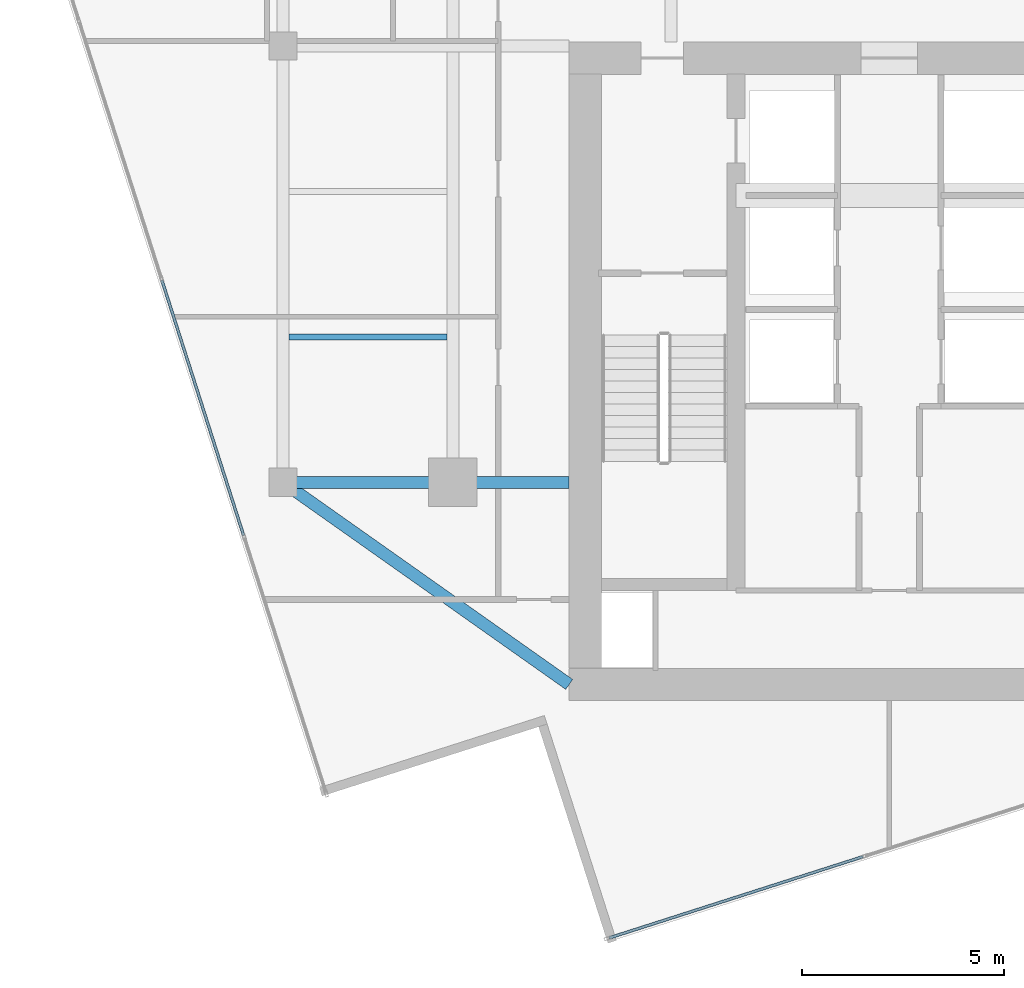
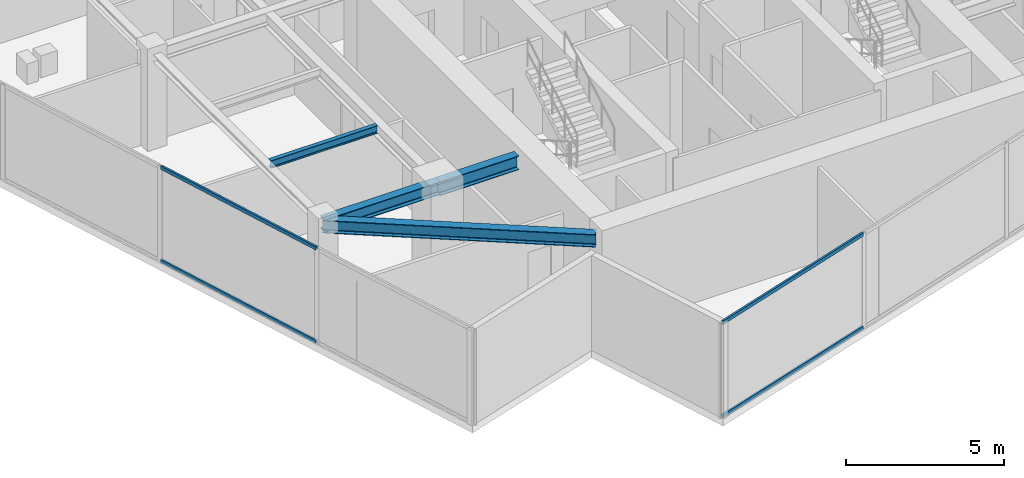
# One storey, part 3 of 21: 4 beams, 4 members, 2 elements without a shape of their own.
"""IFC4 building model written with IfcOpenShell, lengths in metres."""

from ifc_helpers import new_model, si_unit, direction, frame, origin, origin_2d, place, context, subcontext, project, spatial, hollow_rectangle, i_section, extrude, source, transform, mapped, material, material_profile, profile_set, type_object, type_shapes, element, aggregate, save


model = new_model("IFC4")

# Units and contexts
model_context = context("Model", 3, precision=1e-05, world=origin(), true_north=direction((0.0, 1.0)))
body_context = subcontext(model_context, "Body", "Model", "MODEL_VIEW")
ifc_project = project(units=[si_unit("LENGTHUNIT", "METRE"), si_unit("AREAUNIT", "SQUARE_METRE"), si_unit("VOLUMEUNIT", "CUBIC_METRE"), si_unit("PLANEANGLEUNIT", "RADIAN"), si_unit("MASSUNIT", "GRAM", prefix="KILO")], contexts=[model_context])

# Site, building, storey
site_placement = place(None, origin())
site = spatial("IfcSite", under=ifc_project, at=site_placement, CompositionType="ELEMENT")
building_placement = place(site_placement, origin())
building = spatial("IfcBuilding", under=site, at=building_placement, Name="Krantzveldt Concourse Tower", CompositionType="ELEMENT")
storey_placement = place(building_placement, frame((0.0, 0.0, 339.550048828125)))
storey = spatial("IfcBuildingStorey", under=building, at=storey_placement, Name="L83", CompositionType="ELEMENT", Elevation=339.550048828125)

# Beams
ifc_material_1 = material(Name="Steel S355JR", Category="steel")
ifc_material_profile_1 = material_profile(ifc_material_1, i_section(OverallWidth=0.300048828125, OverallDepth=0.489990234375, WebThickness=0.011962890625, FlangeThickness=0.02294921875, FilletRadius=0.027099609375, at=origin_2d()), Name="Steel S355JR", Category="steel")
ifc_profile_set_1 = profile_set([ifc_material_profile_1], Name="Steel S355JR - HEA 500")
beam_type_1 = type_object("IfcBeamType", Name="BM-B-HEA500", PredefinedType="BEAM", material=ifc_profile_set_1)
shared_shape_1 = source(origin(), body_context, "Body", "SweptSolid", [
    extrude(i_section(OverallWidth=0.300048828125, OverallDepth=0.489990234375, WebThickness=0.011962890625, FlangeThickness=0.02294921875, FilletRadius=0.027099609375, at=origin_2d()), origin(), (0.0, 0.0, 1.0), 4.199951171875),
])
beam_1_placement = place(storey_placement, frame((21.0, 15.89990234375, 3.425048828125), z_axis=(1.0, 0.0, 0.0), x_axis=(0.0, 1.0, 0.0)))
element("IfcBeam", 1, at=beam_1_placement, inside=storey, type_object=beam_type_1, Name="L83 Tower Girder BR-RL1", PredefinedType="BEAM", context=body_context, shape_type="MappedRepresentation", body=[
    mapped(shared_shape_1, transform((0.0, 0.0, 0.0), x_axis=(1.0, 0.0, 0.0), y_axis=(0.0, 1.0, 0.0), z_axis=(0.0, 0.0, 1.0), scale=1.0)),
])
shared_shape_2 = source(origin(), body_context, "Body", "SweptSolid", [
    extrude(i_section(OverallWidth=0.300048828125, OverallDepth=0.489990234375, WebThickness=0.011962890625, FlangeThickness=0.02294921875, FilletRadius=0.027099609375, at=origin_2d()), origin(), (0.0, 0.0, 1.0), 8.667724609375),
])
type_shapes(beam_type_1, [shared_shape_1, shared_shape_2])
beam_2_placement = place(storey_placement, frame((21.0, 15.89990234375, 3.425048828125), z_axis=(0.81684294656, -0.576860122261, 0.0), x_axis=(0.576860122261, 0.81684294656, 0.0)))
element("IfcBeam", 2, at=beam_2_placement, inside=storey, type_object=beam_type_1, Name="L83 Tower Girder BR-CSW", PredefinedType="BEAM", context=body_context, shape_type="MappedRepresentation", body=[
    mapped(shared_shape_2, transform((0.0, 0.0, 0.0), x_axis=(1.0, 0.0, 0.0), y_axis=(0.0, 1.0, 0.0), z_axis=(0.0, 0.0, 1.0), scale=1.0)),
])
ifc_material_profile_2 = material_profile(ifc_material_1, i_section(OverallWidth=0.300048828125, OverallDepth=0.5400390625, WebThickness=0.012451171875, FlangeThickness=0.02392578125, FilletRadius=0.027099609375, at=origin_2d()), Name="Steel S355JR", Category="steel")
ifc_profile_set_2 = profile_set([ifc_material_profile_2], Name="Steel S355JR - HEA 550")
beam_type_2 = type_object("IfcBeamType", Name="BM-B-HEA550", PredefinedType="BEAM", material=ifc_profile_set_2)
shared_shape_3 = source(origin(), body_context, "Body", "SweptSolid", [
    extrude(i_section(OverallWidth=0.300048828125, OverallDepth=0.5400390625, WebThickness=0.012451171875, FlangeThickness=0.02392578125, FilletRadius=0.027099609375, at=origin_2d()), origin(), (0.0, 0.0, 1.0), 2.880126953125),
])
type_shapes(beam_type_2, [shared_shape_3])
beam_3_placement = place(storey_placement, frame((25.199951171875, 15.89990234375, 3.39990234375), z_axis=(1.0, 0.0, 0.0), x_axis=(0.0, 1.0, 0.0)))
element("IfcBeam", 3, at=beam_3_placement, inside=storey, type_object=beam_type_2, Name="L83 Tower Girder BG-CW1", PredefinedType="BEAM", context=body_context, shape_type="MappedRepresentation", body=[
    mapped(shared_shape_3, transform((0.0, 0.0, 0.0), x_axis=(1.0, 0.0, 0.0), y_axis=(0.0, 1.0, 0.0), z_axis=(0.0, 0.0, 1.0), scale=1.0)),
])
ifc_material_profile_3 = material_profile(ifc_material_1, i_section(OverallWidth=0.14990234375, OverallDepth=0.300048828125, WebThickness=0.007080078125, FlangeThickness=0.0107421875, FilletRadius=0.014892578125, at=origin_2d()), Name="Steel S355JR", Category="steel")
ifc_profile_set_3 = profile_set([ifc_material_profile_3], Name="Steel S355JR - IPE 300")
beam_type_3 = type_object("IfcBeamType", Name="BM-J-IPE300", PredefinedType="JOIST", material=ifc_profile_set_3)
shared_shape_4 = source(origin(), body_context, "Body", "SweptSolid", [
    extrude(i_section(OverallWidth=0.14990234375, OverallDepth=0.300048828125, WebThickness=0.007080078125, FlangeThickness=0.0107421875, FilletRadius=0.014892578125, at=origin_2d()), origin(), (0.0, 0.0, 1.0), 3.900146484375),
])
type_shapes(beam_type_3, [shared_shape_4])
beam_4_placement = place(storey_placement, frame((21.14990234375, 19.5, 3.52001953125), z_axis=(1.0, 0.0, 0.0), x_axis=(0.0, 1.0, 0.0)))
element("IfcBeam", 4, at=beam_4_placement, inside=storey, type_object=beam_type_3, Name="L83 Secondary Floor Joist JW-1", PredefinedType="JOIST", context=body_context, shape_type="MappedRepresentation", body=[
    mapped(shared_shape_4, transform((0.0, 0.0, 0.0), x_axis=(1.0, 0.0, 0.0), y_axis=(0.0, 1.0, 0.0), z_axis=(0.0, 0.0, 1.0), scale=1.0)),
])

# Curtain wall, members
ifc_material_2 = material(Name="Anodised aluminium 6063-T6", Category="aluminium")
curtain_wall_type = type_object("IfcCurtainWallType", Name="CW4", PredefinedType="USERDEFINED", material=ifc_material_2)
curtain_wall_1_placement = place(storey_placement, origin())
curtain_wall_1 = element("IfcCurtainWall", 5, at=curtain_wall_1_placement, inside=storey, type_object=curtain_wall_type, Name="CW-L83-F07", ObjectType="UNITISED CURTAIN WALL", PredefinedType="USERDEFINED")
ifc_material_profile_4 = material_profile(ifc_material_2, hollow_rectangle(XDim=0.070068359375, YDim=0.139892578125, WallThickness=0.0048828125, at=origin_2d()), Name="Anodised aluminium 6063-T6", Category="aluminium")
ifc_profile_set_4 = profile_set([ifc_material_profile_4], Name="Anodised aluminium 6063-T6 - ALU-TRAN 140x70x5")
member_type = type_object("IfcMemberType", Name="CW-TRN-150", PredefinedType="USERDEFINED", material=ifc_profile_set_4)
shared_shape_5 = source(origin(), body_context, "Body", "SweptSolid", [
    extrude(hollow_rectangle(XDim=0.070068359375, YDim=0.139892578125, WallThickness=0.0048828125, at=origin_2d()), origin(), (0.0, 0.0, 1.0), 6.594970703125),
])
member_1_placement = place(storey_placement, frame((29.069580078125, 4.62646484375, 0.034912109375), z_axis=(0.952398783715, 0.304854976635, 0.0), x_axis=(-0.304854976635, 0.952398783715, 0.0)))
member_1 = element("IfcMember", 6, at=member_1_placement, type_object=member_type, Name="CW-Z56 transom 1.1", ObjectType="TRANSOM", PredefinedType="USERDEFINED", context=body_context, shape_type="MappedRepresentation", body=[
    mapped(shared_shape_5, transform((0.0, 0.0, 0.0), x_axis=(1.0, 0.0, 0.0), y_axis=(0.0, 1.0, 0.0), z_axis=(0.0, 0.0, 1.0), scale=1.0)),
])
member_2_placement = place(storey_placement, frame((29.069580078125, 4.62646484375, 3.635009765625), z_axis=(0.952398783715, 0.304854976635, 0.0), x_axis=(-0.304854976635, 0.952398783715, 0.0)))
member_2 = element("IfcMember", 7, at=member_2_placement, type_object=member_type, Name="CW-Z56 transom 1.2", ObjectType="TRANSOM", PredefinedType="USERDEFINED", context=body_context, shape_type="MappedRepresentation", body=[
    mapped(shared_shape_5, transform((0.0, 0.0, 0.0), x_axis=(1.0, 0.0, 0.0), y_axis=(0.0, 1.0, 0.0), z_axis=(0.0, 0.0, 1.0), scale=1.0)),
])
aggregate(curtain_wall_1, [member_1, member_2])

curtain_wall_2_placement = place(storey_placement, origin())
curtain_wall_2 = element("IfcCurtainWall", 8, at=curtain_wall_2_placement, inside=storey, type_object=curtain_wall_type, Name="CW-L83-F04", ObjectType="UNITISED CURTAIN WALL", PredefinedType="USERDEFINED")
shared_shape_6 = source(origin(), body_context, "Body", "SweptSolid", [
    extrude(hollow_rectangle(XDim=0.070068359375, YDim=0.139892578125, WallThickness=0.0048828125, at=origin_2d()), origin(), (0.0, 0.0, 1.0), 6.6298828125),
])
type_shapes(member_type, [shared_shape_5, shared_shape_6])
member_3_placement = place(storey_placement, frame((18.0009765625, 20.901611328125, 0.034912109375), z_axis=(0.304870592946, -0.952393784921, 0.0), x_axis=(0.952393784921, 0.304870592946, 0.0)))
member_3 = element("IfcMember", 9, at=member_3_placement, type_object=member_type, Name="CW-Z56 transom 3.1", ObjectType="TRANSOM", PredefinedType="USERDEFINED", context=body_context, shape_type="MappedRepresentation", body=[
    mapped(shared_shape_6, transform((0.0, 0.0, 0.0), x_axis=(1.0, 0.0, 0.0), y_axis=(0.0, 1.0, 0.0), z_axis=(0.0, 0.0, 1.0), scale=1.0)),
])
member_4_placement = place(storey_placement, frame((18.0009765625, 20.901611328125, 3.635009765625), z_axis=(0.304870592946, -0.952393784921, 0.0), x_axis=(0.952393784921, 0.304870592946, 0.0)))
member_4 = element("IfcMember", 10, at=member_4_placement, type_object=member_type, Name="CW-Z56 transom 3.2", ObjectType="TRANSOM", PredefinedType="USERDEFINED", context=body_context, shape_type="MappedRepresentation", body=[
    mapped(shared_shape_6, transform((0.0, 0.0, 0.0), x_axis=(1.0, 0.0, 0.0), y_axis=(0.0, 1.0, 0.0), z_axis=(0.0, 0.0, 1.0), scale=1.0)),
])
aggregate(curtain_wall_2, [member_3, member_4])

save(model, "model.ifc")
